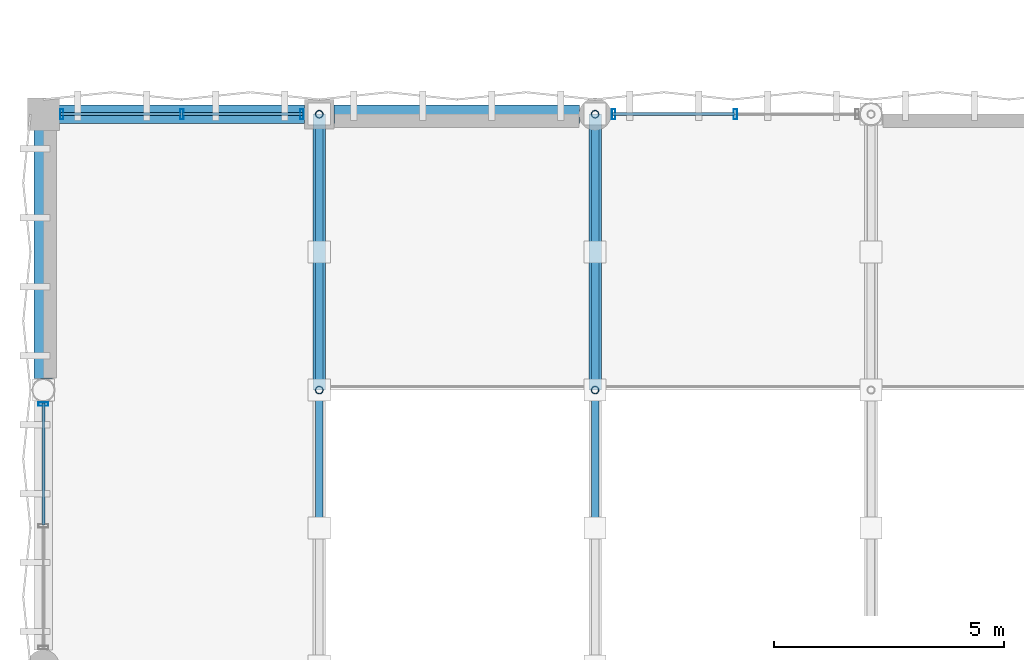
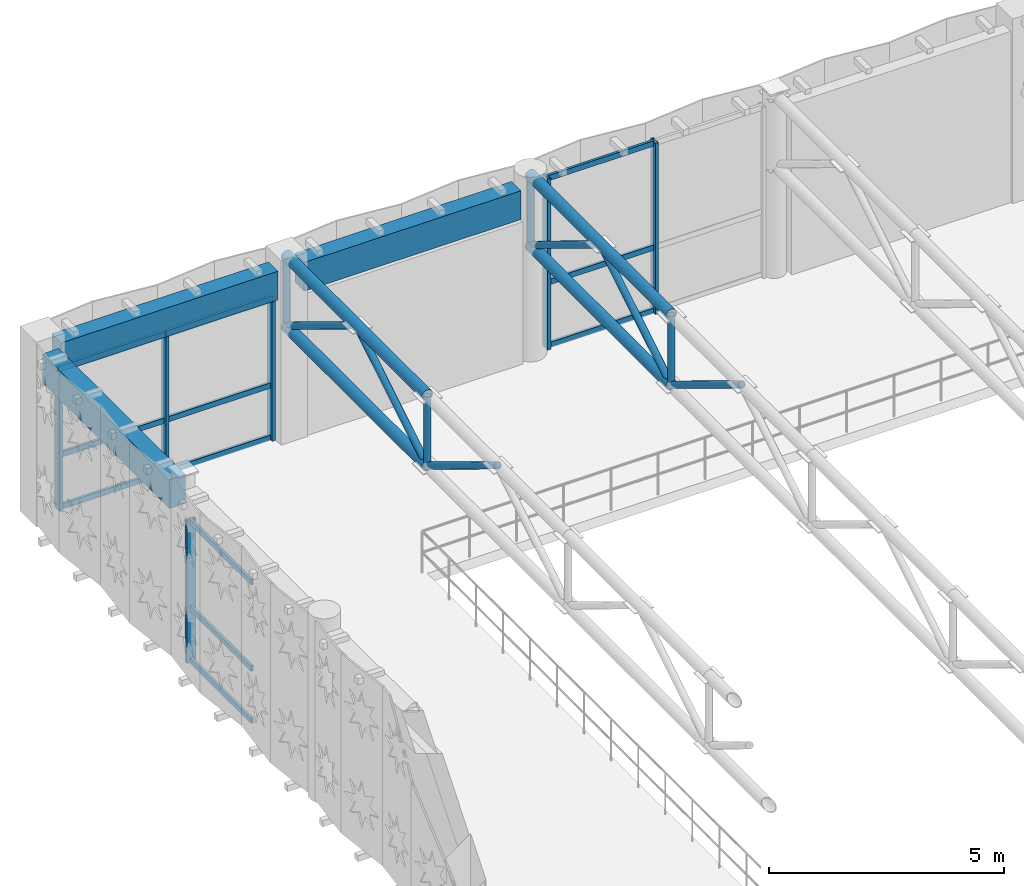
# One storey, part 43 of 123: 32 members, 3 beams, 3 elements without a shape of their own.
"""IFC4 building model written with IfcOpenShell, lengths in metres."""

from ifc_helpers import new_model, si_unit, direction, frame, origin, origin_2d, place, context, subcontext, project, spatial, rectangle, hollow_rectangle, hollow_circle, extrude, material, material_profile, profile_set, type_object, element, aggregate, save


model = new_model("IFC4")

# Units and contexts
model_context = context("Model", 3, precision=1e-05, world=origin(), true_north=direction((0.0, 1.0)))
body_context = subcontext(model_context, "Body", "Model", "MODEL_VIEW")
ifc_project = project(units=[si_unit("LENGTHUNIT", "METRE"), si_unit("AREAUNIT", "SQUARE_METRE"), si_unit("VOLUMEUNIT", "CUBIC_METRE"), si_unit("PLANEANGLEUNIT", "RADIAN"), si_unit("MASSUNIT", "GRAM", prefix="KILO"), si_unit("THERMODYNAMICTEMPERATUREUNIT", "KELVIN"), si_unit("POWERUNIT", "WATT")], contexts=[model_context])

# Site, building, storey
site_placement = place(None, origin())
site = spatial("IfcSite", under=ifc_project, at=site_placement, CompositionType="ELEMENT")
building_placement = place(site_placement, origin())
building = spatial("IfcBuilding", under=site, at=building_placement, Name="Phaisarnlok Congress Hotel", CompositionType="ELEMENT")
storey_placement = place(building_placement, frame((0.0, 0.0, 15.0)))
storey = spatial("IfcBuildingStorey", under=building, at=storey_placement, Name="L03", CompositionType="ELEMENT", Elevation=15.0)

# Curtain wall, members
ifc_material_1 = material(Name="Thermally Broken Unitised Aluminium & Low-E Glazing", Category="aluminium")
curtain_wall_type_1 = type_object("IfcCurtainWallType", Name="CW-UNIT-28", PredefinedType="NOTDEFINED", material=ifc_material_1)
curtain_wall_1_placement = place(storey_placement, origin())
curtain_wall_1 = element("IfcCurtainWall", 1, at=curtain_wall_1_placement, inside=storey, type_object=curtain_wall_type_1, Name="Unitised curtain wall CW-28 (L03)", PredefinedType="NOTDEFINED")
ifc_material_2 = material(Name="Anodised Aluminium Alloy 6063-T6", Category="aluminium")
ifc_material_profile_1 = material_profile(ifc_material_2, hollow_rectangle(XDim=0.074951171875, YDim=0.219970703125, WallThickness=0.0048828125, at=origin_2d()), Name="ALU-M 75x220x5")
ifc_profile_set_1 = profile_set([ifc_material_profile_1], Name="Anodised Aluminium Alloy 6063-T6")
member_type_1 = type_object("IfcMemberType", Name="CWM-220", PredefinedType="MULLION", material=ifc_profile_set_1)
member_1_placement = place(storey_placement, frame((15.048095703125, 120.0, 0.0), z_axis=(0.0, 0.0, 1.0), x_axis=(-1.0, 0.0, 0.0)))
member_1 = element("IfcMember", 2, at=member_1_placement, type_object=member_type_1, Name="Curtain wall mullion CWM-02", PredefinedType="MULLION", context=body_context, shape_type="SweptSolid", body=[
    extrude(hollow_rectangle(XDim=0.074951171875, YDim=0.219970703125, WallThickness=0.0048828125, at=origin_2d()), origin(), (0.0, 0.0, 1.0), 4.449951171875),
])
member_2_placement = place(storey_placement, frame((12.39990234375, 120.0, 0.0), z_axis=(0.0, 0.0, 1.0), x_axis=(-1.0, 0.0, 0.0)))
member_2 = element("IfcMember", 3, at=member_2_placement, type_object=member_type_1, Name="Curtain wall mullion CWM-02", PredefinedType="MULLION", context=body_context, shape_type="SweptSolid", body=[
    extrude(hollow_rectangle(XDim=0.074951171875, YDim=0.219970703125, WallThickness=0.0048828125, at=origin_2d()), origin(), (0.0, 0.0, 1.0), 4.449951171875),
])

curtain_wall_type_2 = type_object("IfcCurtainWallType", Name="CW-UNIT-30", PredefinedType="NOTDEFINED", material=ifc_material_1)
curtain_wall_2_placement = place(storey_placement, origin())
curtain_wall_2 = element("IfcCurtainWall", 4, at=curtain_wall_2_placement, inside=storey, type_object=curtain_wall_type_2, Name="Unitised curtain wall CW-30 (L03)", PredefinedType="NOTDEFINED")
member_3_placement = place(storey_placement, frame((5.625, 120.0, 0.0), z_axis=(0.0, 0.0, 1.0), x_axis=(-1.0, 0.0, 0.0)))
member_3 = element("IfcMember", 5, at=member_3_placement, type_object=member_type_1, Name="Curtain wall mullion CWM-02", PredefinedType="MULLION", context=body_context, shape_type="SweptSolid", body=[
    extrude(hollow_rectangle(XDim=0.074951171875, YDim=0.219970703125, WallThickness=0.0048828125, at=origin_2d()), origin(), (0.0, 0.0, 1.0), 3.699951171875),
])
member_4_placement = place(storey_placement, frame((3.012451171875, 120.0, 0.0), z_axis=(0.0, 0.0, 1.0), x_axis=(-1.0, 0.0, 0.0)))
member_4 = element("IfcMember", 6, at=member_4_placement, type_object=member_type_1, Name="Curtain wall mullion CWM-02", PredefinedType="MULLION", context=body_context, shape_type="SweptSolid", body=[
    extrude(hollow_rectangle(XDim=0.074951171875, YDim=0.219970703125, WallThickness=0.0048828125, at=origin_2d()), origin(), (0.0, 0.0, 1.0), 3.699951171875),
])
member_5_placement = place(storey_placement, frame((0.39990234375, 120.0, 0.0), z_axis=(0.0, 0.0, 1.0), x_axis=(-1.0, 0.0, 0.0)))
member_5 = element("IfcMember", 7, at=member_5_placement, type_object=member_type_1, Name="Curtain wall mullion CWM-02", PredefinedType="MULLION", context=body_context, shape_type="SweptSolid", body=[
    extrude(hollow_rectangle(XDim=0.074951171875, YDim=0.219970703125, WallThickness=0.0048828125, at=origin_2d()), origin(), (0.0, 0.0, 1.0), 3.699951171875),
])

# Curtain wall, member
curtain_wall_type_3 = type_object("IfcCurtainWallType", Name="CW-UNIT-31", PredefinedType="NOTDEFINED", material=ifc_material_1)
curtain_wall_3_placement = place(storey_placement, origin())
curtain_wall_3 = element("IfcCurtainWall", 8, at=curtain_wall_3_placement, inside=storey, type_object=curtain_wall_type_3, Name="Unitised curtain wall CW-31 (L03)", PredefinedType="NOTDEFINED")
member_6_placement = place(storey_placement, frame((0.0, 113.696044921875, 0.0), z_axis=(0.0, 0.0, 1.0), x_axis=(0.0, -1.0, 0.0)))
member_6 = element("IfcMember", 9, at=member_6_placement, type_object=member_type_1, Name="Curtain wall mullion CWM-02", PredefinedType="MULLION", context=body_context, shape_type="SweptSolid", body=[
    extrude(hollow_rectangle(XDim=0.074951171875, YDim=0.219970703125, WallThickness=0.0048828125, at=origin_2d()), origin(), (0.0, 0.0, 1.0), 3.699951171875),
])

# Member
ifc_material_profile_2 = material_profile(ifc_material_2, hollow_rectangle(XDim=0.06494140625, YDim=0.139892578125, WallThickness=0.00390625, at=origin_2d()), Name="ALU-T 65x140x4")
ifc_profile_set_2 = profile_set([ifc_material_profile_2], Name="Anodised Aluminium Alloy 6063-T6")
member_type_2 = type_object("IfcMemberType", Name="CWT-150", PredefinedType="USERDEFINED", material=ifc_profile_set_2)
member_7_placement = place(storey_placement, frame((15.032958984375, 120.0, 0.050048828125), z_axis=(-1.0, 0.0, 0.0), x_axis=(0.0, -1.0, 0.0)))
member_7 = element("IfcMember", 10, at=member_7_placement, type_object=member_type_2, Name="Curtain wall transom CWT-01", ObjectType="TRANSOM", PredefinedType="USERDEFINED", context=body_context, shape_type="SweptSolid", body=[
    extrude(hollow_rectangle(XDim=0.06494140625, YDim=0.139892578125, WallThickness=0.00390625, at=origin_2d()), origin(), (0.0, 0.0, 1.0), 2.657958984375),
])

member_8_placement = place(storey_placement, frame((15.032958984375, 120.0, 1.69091796875), z_axis=(-1.0, 0.0, 0.0), x_axis=(0.0, -1.0, 0.0)))
member_8 = element("IfcMember", 11, at=member_8_placement, type_object=member_type_2, Name="Curtain wall transom CWT-01", ObjectType="TRANSOM", PredefinedType="USERDEFINED", context=body_context, shape_type="SweptSolid", body=[
    extrude(hollow_rectangle(XDim=0.06494140625, YDim=0.139892578125, WallThickness=0.00390625, at=origin_2d()), origin(), (0.0, 0.0, 1.0), 2.657958984375),
])

member_9_placement = place(storey_placement, frame((15.032958984375, 120.0, 4.39990234375), z_axis=(-1.0, 0.0, 0.0), x_axis=(0.0, -1.0, 0.0)))
member_9 = element("IfcMember", 12, at=member_9_placement, type_object=member_type_2, Name="Curtain wall transom CWT-01", ObjectType="TRANSOM", PredefinedType="USERDEFINED", context=body_context, shape_type="SweptSolid", body=[
    extrude(hollow_rectangle(XDim=0.06494140625, YDim=0.139892578125, WallThickness=0.00390625, at=origin_2d()), origin(), (0.0, 0.0, 1.0), 2.657958984375),
])

aggregate(curtain_wall_1, [member_1, member_2, member_7, member_8, member_9])

member_10_placement = place(storey_placement, frame((5.64990234375, 120.0, 0.050048828125), z_axis=(-1.0, 0.0, 0.0), x_axis=(0.0, -1.0, 0.0)))
member_10 = element("IfcMember", 13, at=member_10_placement, type_object=member_type_2, Name="Curtain wall transom CWT-01", ObjectType="TRANSOM", PredefinedType="USERDEFINED", context=body_context, shape_type="SweptSolid", body=[
    extrude(hollow_rectangle(XDim=0.06494140625, YDim=0.139892578125, WallThickness=0.00390625, at=origin_2d()), origin(), (0.0, 0.0, 1.0), 2.622314453125),
])

member_11_placement = place(storey_placement, frame((5.64990234375, 120.0, 1.406005859375), z_axis=(-1.0, 0.0, 0.0), x_axis=(0.0, -1.0, 0.0)))
member_11 = element("IfcMember", 14, at=member_11_placement, type_object=member_type_2, Name="Curtain wall transom CWT-01", ObjectType="TRANSOM", PredefinedType="USERDEFINED", context=body_context, shape_type="SweptSolid", body=[
    extrude(hollow_rectangle(XDim=0.06494140625, YDim=0.139892578125, WallThickness=0.00390625, at=origin_2d()), origin(), (0.0, 0.0, 1.0), 2.622314453125),
])

member_12_placement = place(storey_placement, frame((5.64990234375, 120.0, 3.64990234375), z_axis=(-1.0, 0.0, 0.0), x_axis=(0.0, -1.0, 0.0)))
member_12 = element("IfcMember", 15, at=member_12_placement, type_object=member_type_2, Name="Curtain wall transom CWT-01", ObjectType="TRANSOM", PredefinedType="USERDEFINED", context=body_context, shape_type="SweptSolid", body=[
    extrude(hollow_rectangle(XDim=0.06494140625, YDim=0.139892578125, WallThickness=0.00390625, at=origin_2d()), origin(), (0.0, 0.0, 1.0), 2.622314453125),
])

member_13_placement = place(storey_placement, frame((2.99755859375, 120.0, 0.050048828125), z_axis=(-1.0, 0.0, 0.0), x_axis=(0.0, -1.0, 0.0)))
member_13 = element("IfcMember", 16, at=member_13_placement, type_object=member_type_2, Name="Curtain wall transom CWT-01", ObjectType="TRANSOM", PredefinedType="USERDEFINED", context=body_context, shape_type="SweptSolid", body=[
    extrude(hollow_rectangle(XDim=0.06494140625, YDim=0.139892578125, WallThickness=0.00390625, at=origin_2d()), origin(), (0.0, 0.0, 1.0), 2.62255859375),
])

member_14_placement = place(storey_placement, frame((2.99755859375, 120.0, 1.406005859375), z_axis=(-1.0, 0.0, 0.0), x_axis=(0.0, -1.0, 0.0)))
member_14 = element("IfcMember", 17, at=member_14_placement, type_object=member_type_2, Name="Curtain wall transom CWT-01", ObjectType="TRANSOM", PredefinedType="USERDEFINED", context=body_context, shape_type="SweptSolid", body=[
    extrude(hollow_rectangle(XDim=0.06494140625, YDim=0.139892578125, WallThickness=0.00390625, at=origin_2d()), origin(), (0.0, 0.0, 1.0), 2.62255859375),
])

member_15_placement = place(storey_placement, frame((2.99755859375, 120.0, 3.64990234375), z_axis=(-1.0, 0.0, 0.0), x_axis=(0.0, -1.0, 0.0)))
member_15 = element("IfcMember", 18, at=member_15_placement, type_object=member_type_2, Name="Curtain wall transom CWT-01", ObjectType="TRANSOM", PredefinedType="USERDEFINED", context=body_context, shape_type="SweptSolid", body=[
    extrude(hollow_rectangle(XDim=0.06494140625, YDim=0.139892578125, WallThickness=0.00390625, at=origin_2d()), origin(), (0.0, 0.0, 1.0), 2.62255859375),
])

aggregate(curtain_wall_2, [member_3, member_4, member_5, member_10, member_11, member_12, member_13, member_14, member_15])

member_16_placement = place(storey_placement, frame((0.0, 113.720947265625, 0.050048828125), z_axis=(0.0, -1.0, 0.0), x_axis=(1.0, 0.0, 0.0)))
member_16 = element("IfcMember", 19, at=member_16_placement, type_object=member_type_2, Name="Curtain wall transom CWT-01", ObjectType="TRANSOM", PredefinedType="USERDEFINED", context=body_context, shape_type="SweptSolid", body=[
    extrude(hollow_rectangle(XDim=0.06494140625, YDim=0.139892578125, WallThickness=0.00390625, at=origin_2d()), origin(), (0.0, 0.0, 1.0), 2.657958984375),
])

member_17_placement = place(storey_placement, frame((0.0, 113.720947265625, 1.406005859375), z_axis=(0.0, -1.0, 0.0), x_axis=(1.0, 0.0, 0.0)))
member_17 = element("IfcMember", 20, at=member_17_placement, type_object=member_type_2, Name="Curtain wall transom CWT-01", ObjectType="TRANSOM", PredefinedType="USERDEFINED", context=body_context, shape_type="SweptSolid", body=[
    extrude(hollow_rectangle(XDim=0.06494140625, YDim=0.139892578125, WallThickness=0.00390625, at=origin_2d()), origin(), (0.0, 0.0, 1.0), 2.657958984375),
])

member_18_placement = place(storey_placement, frame((0.0, 113.720947265625, 3.64990234375), z_axis=(0.0, -1.0, 0.0), x_axis=(1.0, 0.0, 0.0)))
member_18 = element("IfcMember", 21, at=member_18_placement, type_object=member_type_2, Name="Curtain wall transom CWT-01", ObjectType="TRANSOM", PredefinedType="USERDEFINED", context=body_context, shape_type="SweptSolid", body=[
    extrude(hollow_rectangle(XDim=0.06494140625, YDim=0.139892578125, WallThickness=0.00390625, at=origin_2d()), origin(), (0.0, 0.0, 1.0), 2.657958984375),
])

aggregate(curtain_wall_3, [member_6, member_16, member_17, member_18])

# Members
ifc_material_3 = material(Name="Steel S355", Category="steel")
ifc_material_profile_3 = material_profile(ifc_material_3, hollow_circle(Radius=0.084228515625, WallThickness=0.010009765625, at=origin_2d()), Name="CHS 168.3x10")
ifc_profile_set_3 = profile_set([ifc_material_profile_3], Name="Steel S355")
member_type_3 = type_object("IfcMemberType", Name="MEM-BRC-CHS168", PredefinedType="BRACE", material=ifc_profile_set_3)
member_19_placement = place(storey_placement, frame((6.0, 114.0, 2.800048828125), z_axis=(0.0, -0.853724612577, 0.520724769797), x_axis=(1.0, 0.0, 0.0)))
element("IfcMember", 22, at=member_19_placement, inside=storey, type_object=member_type_3, Name="Spa pavilion truss diagonal TB-01", PredefinedType="BRACE", context=body_context, shape_type="SweptSolid", body=[
    extrude(hollow_circle(Radius=0.084228515625, WallThickness=0.010009765625, at=origin_2d()), origin(), (0.0, 0.0, 1.0), 3.513916015625),
])
member_20_placement = place(storey_placement, frame((6.0, 114.0, 2.800048828125), z_axis=(0.0, 0.0, 1.0), x_axis=(1.0, 0.0, 0.0)))
element("IfcMember", 23, at=member_20_placement, inside=storey, type_object=member_type_3, Name="Spa pavilion truss vertical TB-01", PredefinedType="BRACE", context=body_context, shape_type="SweptSolid", body=[
    extrude(hollow_circle(Radius=0.084228515625, WallThickness=0.010009765625, at=origin_2d()), origin(), (0.0, 0.0, 1.0), 1.829833984375),
])
for number, where, z_axis, x_axis, name in (
    (24, (6.0, 114.0, 2.800048828125), (0.0, 0.853724612577, 0.520724769797), (-1.0, 0.0, 0.0), "Spa pavilion truss diagonal TB-01"),
    (25, (6.0, 120.0, 2.800048828125), (0.0, -0.853724612577, 0.520724769797), (1.0, 0.0, 0.0), "Spa pavilion truss diagonal TB-01"),
):
    element("IfcMember", number, at=place(storey_placement, frame(where, z_axis=z_axis, x_axis=x_axis)), inside=storey, type_object=member_type_3, Name=name, PredefinedType="BRACE", context=body_context, shape_type="SweptSolid", body=[
        extrude(hollow_circle(Radius=0.084228515625, WallThickness=0.010009765625, at=origin_2d()), origin(), (0.0, 0.0, 1.0), 3.513916015625),
    ])
member_21_placement = place(storey_placement, frame((6.0, 120.0, 2.800048828125), z_axis=(0.0, 0.0, 1.0), x_axis=(1.0, 0.0, 0.0)))
element("IfcMember", 26, at=member_21_placement, inside=storey, type_object=member_type_3, Name="Spa pavilion truss vertical TB-01", PredefinedType="BRACE", context=body_context, shape_type="SweptSolid", body=[
    extrude(hollow_circle(Radius=0.084228515625, WallThickness=0.010009765625, at=origin_2d()), origin(), (0.0, 0.0, 1.0), 1.829833984375),
])
member_22_placement = place(storey_placement, frame((12.0, 114.0, 2.800048828125), z_axis=(0.0, -0.853724612577, 0.520724769797), x_axis=(1.0, 0.0, 0.0)))
element("IfcMember", 27, at=member_22_placement, inside=storey, type_object=member_type_3, Name="Spa pavilion truss diagonal TB-01", PredefinedType="BRACE", context=body_context, shape_type="SweptSolid", body=[
    extrude(hollow_circle(Radius=0.084228515625, WallThickness=0.010009765625, at=origin_2d()), origin(), (0.0, 0.0, 1.0), 3.513916015625),
])
member_23_placement = place(storey_placement, frame((12.0, 114.0, 2.800048828125), z_axis=(0.0, 0.0, 1.0), x_axis=(1.0, 0.0, 0.0)))
element("IfcMember", 28, at=member_23_placement, inside=storey, type_object=member_type_3, Name="Spa pavilion truss vertical TB-01", PredefinedType="BRACE", context=body_context, shape_type="SweptSolid", body=[
    extrude(hollow_circle(Radius=0.084228515625, WallThickness=0.010009765625, at=origin_2d()), origin(), (0.0, 0.0, 1.0), 1.829833984375),
])
for number, where, z_axis, x_axis, name in (
    (29, (12.0, 114.0, 2.800048828125), (0.0, 0.853724612577, 0.520724769797), (-1.0, 0.0, 0.0), "Spa pavilion truss diagonal TB-01"),
    (30, (12.0, 120.0, 2.800048828125), (0.0, -0.853724612577, 0.520724769797), (1.0, 0.0, 0.0), "Spa pavilion truss diagonal TB-01"),
):
    element("IfcMember", number, at=place(storey_placement, frame(where, z_axis=z_axis, x_axis=x_axis)), inside=storey, type_object=member_type_3, Name=name, PredefinedType="BRACE", context=body_context, shape_type="SweptSolid", body=[
        extrude(hollow_circle(Radius=0.084228515625, WallThickness=0.010009765625, at=origin_2d()), origin(), (0.0, 0.0, 1.0), 3.513916015625),
    ])
member_24_placement = place(storey_placement, frame((12.0, 120.0, 2.800048828125), z_axis=(0.0, 0.0, 1.0), x_axis=(1.0, 0.0, 0.0)))
element("IfcMember", 31, at=member_24_placement, inside=storey, type_object=member_type_3, Name="Spa pavilion truss vertical TB-01", PredefinedType="BRACE", context=body_context, shape_type="SweptSolid", body=[
    extrude(hollow_circle(Radius=0.084228515625, WallThickness=0.010009765625, at=origin_2d()), origin(), (0.0, 0.0, 1.0), 1.829833984375),
])
ifc_material_profile_4 = material_profile(ifc_material_3, hollow_circle(Radius=0.136474609375, WallThickness=0.01611328125, at=origin_2d()), Name="CHS 273x16")
ifc_profile_set_4 = profile_set([ifc_material_profile_4], Name="Steel S355")
member_type_4 = type_object("IfcMemberType", Name="MEM-CHD-CHS273", PredefinedType="CHORD", material=ifc_profile_set_4)
for number, where, z_axis, x_axis, name in (
    (32, (6.0, 114.0, 4.6298828125), (0.0, 1.0, 0.0), (-1.0, 0.0, 0.0), "Spa pavilion truss top chord TC-03"),
    (33, (6.0, 114.0, 2.800048828125), (0.0, 1.0, 0.0), (-1.0, 0.0, 0.0), "Spa pavilion truss bottom chord TC-03"),
    (34, (12.0, 114.0, 4.6298828125), (0.0, 1.0, 0.0), (-1.0, 0.0, 0.0), "Spa pavilion truss top chord TC-03"),
    (35, (12.0, 114.0, 2.800048828125), (0.0, 1.0, 0.0), (-1.0, 0.0, 0.0), "Spa pavilion truss bottom chord TC-03"),
):
    element("IfcMember", number, at=place(storey_placement, frame(where, z_axis=z_axis, x_axis=x_axis)), inside=storey, type_object=member_type_4, Name=name, PredefinedType="CHORD", context=body_context, shape_type="SweptSolid", body=[
        extrude(hollow_circle(Radius=0.136474609375, WallThickness=0.01611328125, at=origin_2d()), origin(), (0.0, 0.0, 1.0), 6.0),
    ])

# Beams
ifc_material_4 = material(Name="Concrete C40/50", Category="concrete")
ifc_material_profile_5 = material_profile(ifc_material_4, rectangle(XDim=0.39990234375, YDim=0.75, at=origin_2d()), Name="RC 400x750")
ifc_profile_set_5 = profile_set([ifc_material_profile_5], Name="Concrete C40/50")
beam_type = type_object("IfcBeamType", Name="SP-RC-400x750", PredefinedType="SPANDREL", material=ifc_profile_set_5)
beam_placement = place(storey_placement, frame((0.0, 114.2490234375, 4.074951171875), z_axis=(0.0, 1.0, 0.0), x_axis=(-1.0, 0.0, 0.0)))
element("IfcBeam", 36, at=beam_placement, inside=storey, type_object=beam_type, Name="Beam SP-02", PredefinedType="SPANDREL", context=body_context, shape_type="SweptSolid", body=[
    extrude(rectangle(XDim=0.39990234375, YDim=0.75, at=origin_2d()), origin(), (0.0, 0.0, 1.0), 5.406005859375),
])
for number, where, z_axis, x_axis, name in (
    (37, (0.344970703125, 120.0, 4.074951171875), (1.0, 0.0, 0.0), (0.0, 1.0, 0.0), "Beam SP-02"),
    (38, (6.320068359375, 120.0, 4.074951171875), (1.0, 0.0, 0.0), (0.0, 1.0, 0.0), "Beam SP-02"),
):
    element("IfcBeam", number, at=place(storey_placement, frame(where, z_axis=z_axis, x_axis=x_axis)), inside=storey, type_object=beam_type, Name=name, PredefinedType="SPANDREL", context=body_context, shape_type="SweptSolid", body=[
        extrude(rectangle(XDim=0.39990234375, YDim=0.75, at=origin_2d()), origin(), (0.0, 0.0, 1.0), 5.3349609375),
    ])

save(model, "model.ifc")
